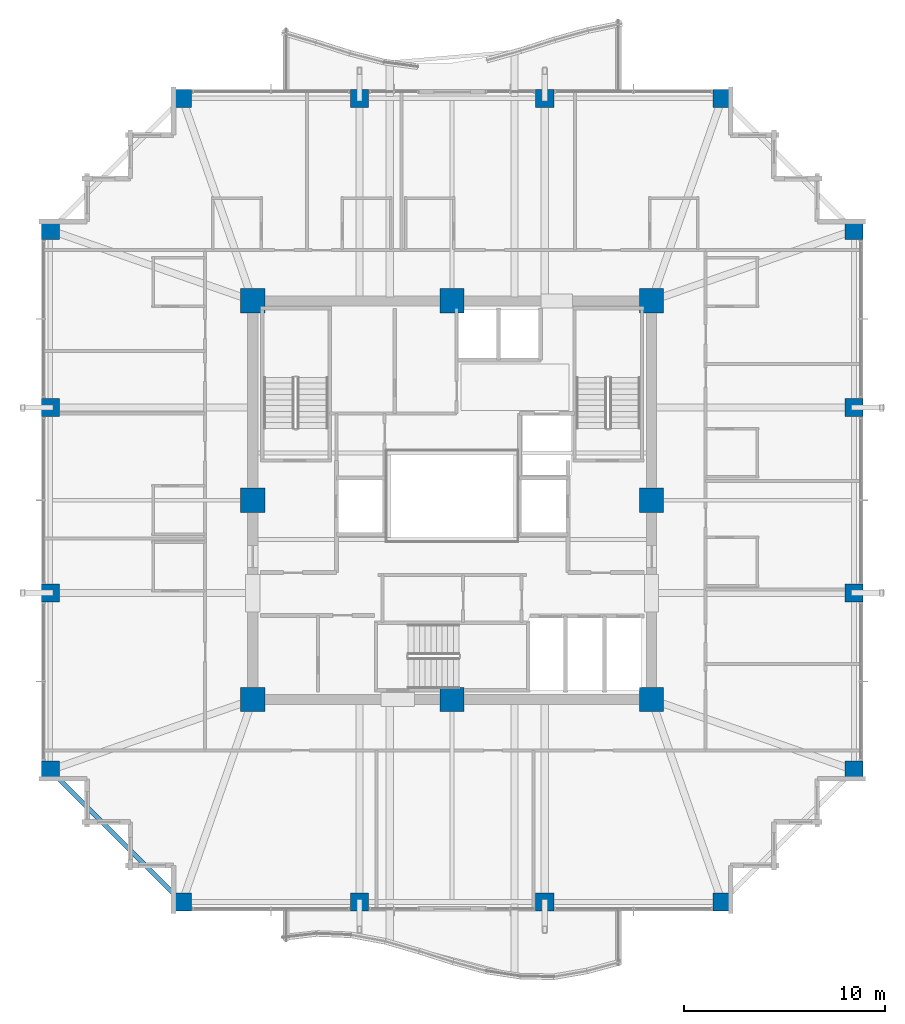
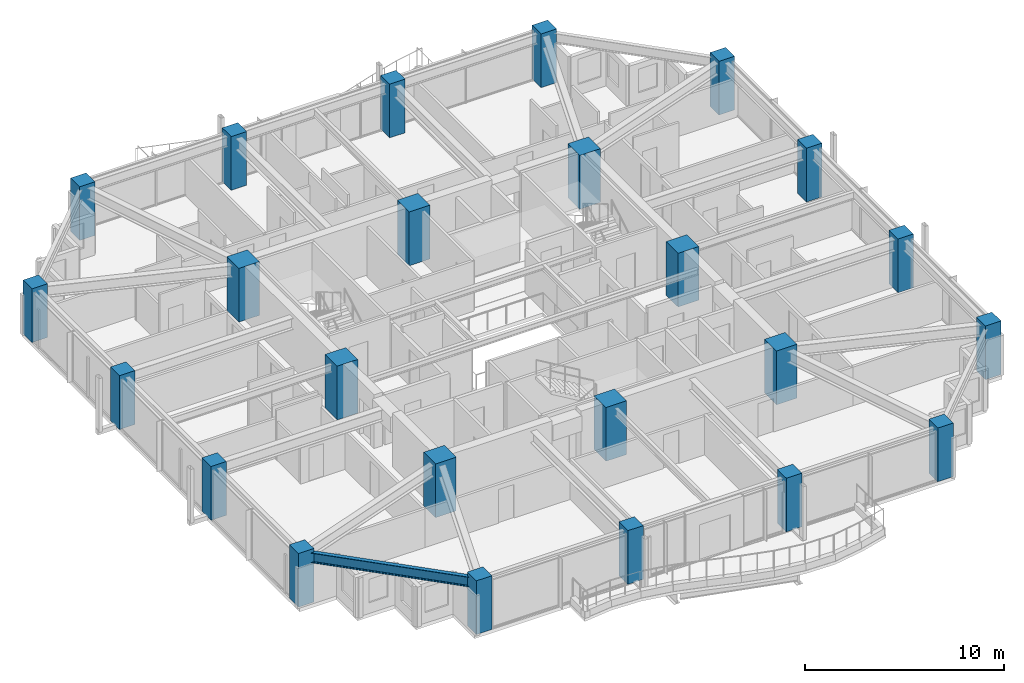
# One storey, part 1 of 37: 24 columns, 1 beam.
"""IFC4 building model written with IfcOpenShell, lengths in metres."""

from ifc_helpers import new_model, si_unit, direction, frame, origin, origin_2d, place, context, subcontext, project, spatial, rectangle, i_section, extrude, material, material_profile, profile_set, type_object, element, save


model = new_model("IFC4")

# Units and contexts
model_context = context("Model", 3, precision=1e-05, world=origin(), true_north=direction((0.0, 1.0)))
body_context = subcontext(model_context, "Body", "Model", "MODEL_VIEW")
ifc_project = project(units=[si_unit("LENGTHUNIT", "METRE"), si_unit("AREAUNIT", "SQUARE_METRE"), si_unit("VOLUMEUNIT", "CUBIC_METRE"), si_unit("PLANEANGLEUNIT", "RADIAN"), si_unit("MASSUNIT", "GRAM", prefix="KILO")], contexts=[model_context])

# Site, building, storey
site_placement = place(None, origin())
site = spatial("IfcSite", under=ifc_project, at=site_placement, CompositionType="ELEMENT")
building_placement = place(site_placement, origin())
building = spatial("IfcBuilding", under=site, at=building_placement, Name="Kolvaren Belvedere", CompositionType="ELEMENT")
storey_placement = place(building_placement, frame((0.0, 0.0, 180.0)))
storey = spatial("IfcBuildingStorey", under=building, at=storey_placement, Name="L52", CompositionType="ELEMENT", Elevation=180.0)

# Columns
ifc_material_1 = material(Name="Concrete C60/75", Category="concrete")
ifc_material_profile_1 = material_profile(ifc_material_1, rectangle(XDim=1.199951171875, YDim=1.199951171875, at=origin_2d()), Name="RC 1200X1200")
ifc_profile_set_1 = profile_set([ifc_material_profile_1], Name="Concrete C60/75")
column_type_1 = type_object("IfcColumnType", Name="COL-RC-1200", PredefinedType="COLUMN", material=ifc_profile_set_1)
for number, where, z_axis, x_axis, name in (
    (1, (-9.89990234375, -9.89990234375, 0.0), (0.0, 0.0, 1.0), (1.0, 0.0, 0.0), "L52 Core Column CC1"),
    (2, (9.89990234375, -9.89990234375, 0.0), (0.0, 0.0, 1.0), (1.0, 0.0, 0.0), "L52 Core Column CC2"),
    (3, (9.89990234375, 9.89990234375, 0.0), (0.0, 0.0, 1.0), (1.0, 0.0, 0.0), "L52 Core Column CC3"),
    (4, (-9.89990234375, 9.89990234375, 0.0), (0.0, 0.0, 1.0), (1.0, 0.0, 0.0), "L52 Core Column CC4"),
    (5, (0.0, -9.89990234375, 0.0), (0.0, 0.0, 1.0), (1.0, 0.0, 0.0), "L52 Core Column CM1"),
    (6, (9.89990234375, 0.0, 0.0), (0.0, 0.0, 1.0), (1.0, 0.0, 0.0), "L52 Core Column CM2"),
    (7, (0.0, 9.89990234375, 0.0), (0.0, 0.0, 1.0), (1.0, 0.0, 0.0), "L52 Core Column CM3"),
    (8, (-9.89990234375, 0.0, 0.0), (0.0, 0.0, 1.0), (1.0, 0.0, 0.0), "L52 Core Column CM4"),
):
    element("IfcColumn", number, at=place(storey_placement, frame(where, z_axis=z_axis, x_axis=x_axis)), inside=storey, type_object=column_type_1, Name=name, PredefinedType="COLUMN", context=body_context, shape_type="SweptSolid", body=[
        extrude(rectangle(XDim=1.199951171875, YDim=1.199951171875, at=origin_2d()), origin(), (0.0, 0.0, 1.0), 3.300048828125),
    ])
ifc_material_2 = material(Name="Concrete C50/60", Category="concrete")
ifc_material_profile_2 = material_profile(ifc_material_2, rectangle(XDim=0.89990234375, YDim=0.89990234375, at=origin_2d()), Name="RC 900X900")
ifc_profile_set_2 = profile_set([ifc_material_profile_2], Name="Concrete C50/60")
column_type_2 = type_object("IfcColumnType", Name="COL-RC-900", PredefinedType="COLUMN", material=ifc_profile_set_2)
for number, where, z_axis, x_axis, name in (
    (9, (-13.39990234375, -19.949951171875, 0.0), (0.0, 0.0, 1.0), (1.0, 0.0, 0.0), "L52 Perimeter Column S1"),
    (10, (-4.60009765625, -19.949951171875, 0.0), (0.0, 0.0, 1.0), (1.0, 0.0, 0.0), "L52 Perimeter Column S2"),
    (11, (4.60009765625, -19.949951171875, 0.0), (0.0, 0.0, 1.0), (1.0, 0.0, 0.0), "L52 Perimeter Column S3"),
    (12, (13.39990234375, -19.949951171875, 0.0), (0.0, 0.0, 1.0), (1.0, 0.0, 0.0), "L52 Perimeter Column S4"),
    (13, (-13.39990234375, 19.949951171875, 0.0), (0.0, 0.0, 1.0), (1.0, 0.0, 0.0), "L52 Perimeter Column N1"),
    (14, (-4.60009765625, 19.949951171875, 0.0), (0.0, 0.0, 1.0), (1.0, 0.0, 0.0), "L52 Perimeter Column N2"),
    (15, (4.60009765625, 19.949951171875, 0.0), (0.0, 0.0, 1.0), (1.0, 0.0, 0.0), "L52 Perimeter Column N3"),
    (16, (13.39990234375, 19.949951171875, 0.0), (0.0, 0.0, 1.0), (1.0, 0.0, 0.0), "L52 Perimeter Column N4"),
    (17, (-19.949951171875, -13.39990234375, 0.0), (0.0, 0.0, 1.0), (1.0, 0.0, 0.0), "L52 Perimeter Column W1"),
    (18, (-19.949951171875, -4.60009765625, 0.0), (0.0, 0.0, 1.0), (1.0, 0.0, 0.0), "L52 Perimeter Column W2"),
    (19, (-19.949951171875, 4.60009765625, 0.0), (0.0, 0.0, 1.0), (1.0, 0.0, 0.0), "L52 Perimeter Column W3"),
    (20, (-19.949951171875, 13.39990234375, 0.0), (0.0, 0.0, 1.0), (1.0, 0.0, 0.0), "L52 Perimeter Column W4"),
    (21, (19.949951171875, -13.39990234375, 0.0), (0.0, 0.0, 1.0), (1.0, 0.0, 0.0), "L52 Perimeter Column E1"),
    (22, (19.949951171875, -4.60009765625, 0.0), (0.0, 0.0, 1.0), (1.0, 0.0, 0.0), "L52 Perimeter Column E2"),
    (23, (19.949951171875, 4.60009765625, 0.0), (0.0, 0.0, 1.0), (1.0, 0.0, 0.0), "L52 Perimeter Column E3"),
    (24, (19.949951171875, 13.39990234375, 0.0), (0.0, 0.0, 1.0), (1.0, 0.0, 0.0), "L52 Perimeter Column E4"),
):
    element("IfcColumn", number, at=place(storey_placement, frame(where, z_axis=z_axis, x_axis=x_axis)), inside=storey, type_object=column_type_2, Name=name, PredefinedType="COLUMN", context=body_context, shape_type="SweptSolid", body=[
        extrude(rectangle(XDim=0.89990234375, YDim=0.89990234375, at=origin_2d()), origin(), (0.0, 0.0, 1.0), 3.300048828125),
    ])

# Beam
ifc_material_3 = material(Name="Structural steel ASTM A992 Grade 50", Category="steel")
ifc_material_profile_3 = material_profile(ifc_material_3, i_section(OverallWidth=0.22900390625, OverallDepth=0.612060546875, WebThickness=0.011962890625, FlangeThickness=0.01953125, FilletRadius=0.01806640625, at=origin_2d()), Name="W24X84")
ifc_profile_set_3 = profile_set([ifc_material_profile_3], Name="Structural steel ASTM A992 Grade 50")
beam_type = type_object("IfcBeamType", Name="BM-SPAN-W24X84", PredefinedType="SPANDREL", material=ifc_profile_set_3)
beam_placement = place(storey_placement, frame((-19.806884765625, -13.543212890625, 2.77392578125), z_axis=(0.707106781187, -0.707106781187, 0.0), x_axis=(0.707106781187, 0.707106781187, 0.0)))
element("IfcBeam", 25, at=beam_placement, inside=storey, type_object=beam_type, Name="L52 Perimeter Spandrel W1-S1", PredefinedType="SPANDREL", context=body_context, shape_type="SweptSolid", body=[
    extrude(i_section(OverallWidth=0.22900390625, OverallDepth=0.612060546875, WebThickness=0.011962890625, FlangeThickness=0.01953125, FilletRadius=0.01806640625, at=origin_2d()), origin(), (0.0, 0.0, 1.0), 8.858154296875),
])

save(model, "model.ifc")
